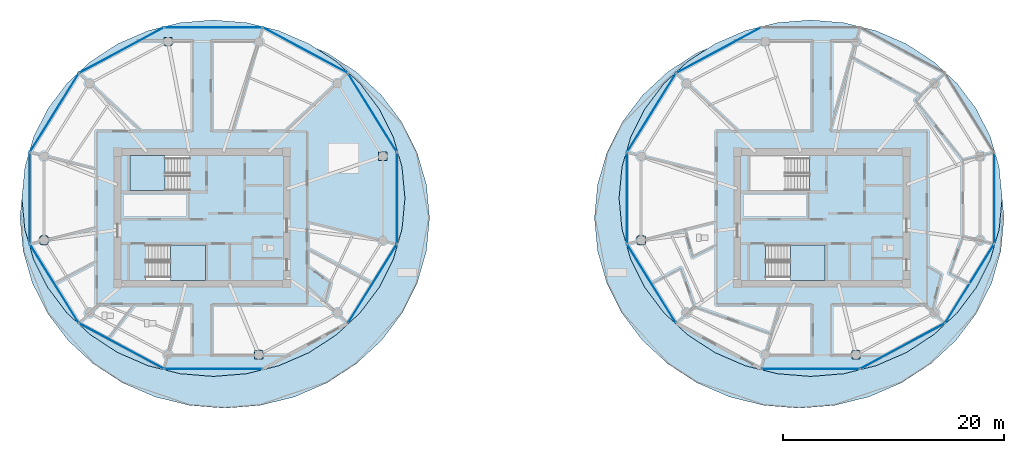
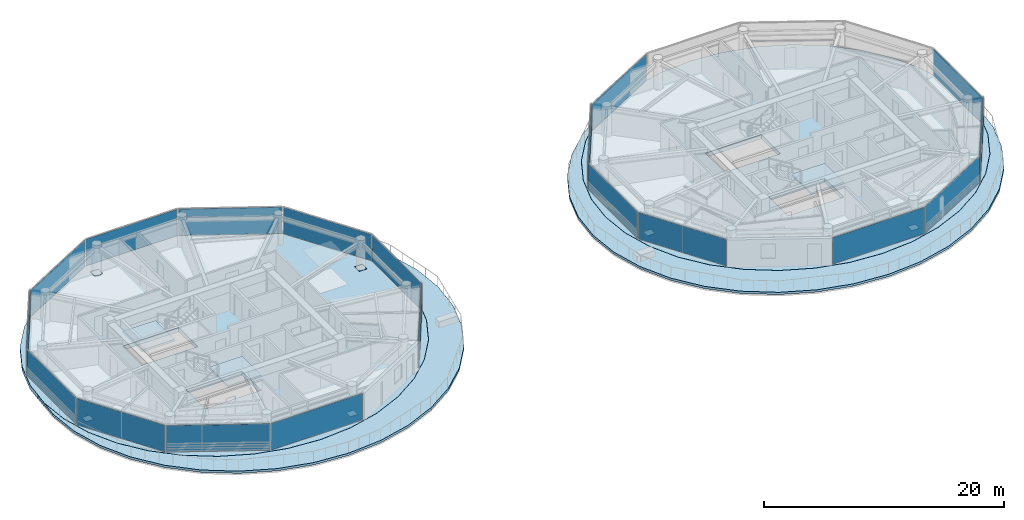
# One storey, part 11 of 28: 25 plates, 7 slabs, 22 elements without a shape of their own.
"""IFC4 building model written with IfcOpenShell, lengths in metres."""

from ifc_helpers import new_model, si_unit, direction, frame, origin, origin_2d, place, context, subcontext, project, spatial, polyline, rectangle, outline, extrude, source, transform, mapped, material, layer, layer_set, type_object, type_shapes, element, aggregate, save


model = new_model("IFC4")

# Units and contexts
model_context = context("Model", 3, precision=1e-05, world=origin(), true_north=direction((0.0, 1.0)))
body_context = subcontext(model_context, "Body", "Model", "MODEL_VIEW")
ifc_project = project(units=[si_unit("LENGTHUNIT", "METRE"), si_unit("AREAUNIT", "SQUARE_METRE"), si_unit("VOLUMEUNIT", "CUBIC_METRE"), si_unit("PLANEANGLEUNIT", "RADIAN"), si_unit("MASSUNIT", "GRAM", prefix="KILO")], contexts=[model_context])

# Site, building, storey
site_placement = place(None, origin())
site = spatial("IfcSite", under=ifc_project, at=site_placement, CompositionType="ELEMENT")
building_placement = place(site_placement, origin())
building = spatial("IfcBuilding", under=site, at=building_placement, Name="Norrkilde Senior Care Towers", CompositionType="ELEMENT")
storey_placement = place(building_placement, frame((0.0, 0.0, 134.300048828125)))
storey = spatial("IfcBuildingStorey", under=building, at=storey_placement, Name="L41", CompositionType="ELEMENT", Elevation=134.300048828125)

# Slabs
ifc_material_1 = material(Name="Concrete C45/55", Category="concrete")
ifc_layer_1 = layer(ifc_material_1, 0.22998046875)
ifc_layer_set_1 = layer_set([ifc_layer_1], Name="Concrete C45/55")
slab_type_1 = type_object("IfcSlabType", Name="Cascading Garden Terrace Slab 230", PredefinedType="FLOOR", material=ifc_layer_set_1)
slab_1_placement = place(storey_placement, frame((0.0, 0.0, -0.22998046875)))
element("IfcSlab", 1, at=slab_1_placement, inside=storey, type_object=slab_type_1, Name="L41 Drum W Crescent Sky-Garden Terrace", PredefinedType="FLOOR", context=body_context, shape_type="SweptSolid", body=[
    extrude(outline(polyline([(-16.699951171875, 14.895751953125), (-14.058349609375, 13.176025390625), (-11.778076171875, 11.055908203125), (-9.928466796875, 8.60009765625), (-8.565673828125, 5.8828125), (-7.73095703125, 2.98681640625), (-7.449951171875, 0.0), (-7.73095703125, -2.98681640625), (-8.565673828125, -5.8828125), (-9.928466796875, -8.60009765625), (-11.778076171875, -11.055908203125), (-14.058349609375, -13.176025390625), (-16.699951171875, -14.895751953125), (-19.62255859375, -16.16259765625), (-22.737548828125, -16.938720703125), (-25.949951171875, -17.199951171875), (-29.16259765625, -16.938720703125), (-32.27734375, -16.16259765625), (-35.199951171875, -14.895751953125), (-37.841552734375, -13.176025390625), (-40.121826171875, -11.055908203125), (-41.971435546875, -8.60009765625), (-43.334228515625, -5.8828125), (-44.1689453125, -2.98681640625), (-44.449951171875, 0.0), (-44.1689453125, 2.98681640625), (-44.164794921875, 3.001220703125), (-44.280029296875, 1.77587890625), (-44.280029296875, 1.775390625), (-44.280029296875, 1.77490234375), (-44.01708984375, -1.020751953125), (-44.01708984375, -1.021240234375), (-44.01708984375, -1.021728515625), (-43.236572265625, -3.732666015625), (-43.236328125, -3.73291015625), (-43.236083984375, -3.7333984375), (-41.961669921875, -6.27685546875), (-41.96142578125, -6.27734375), (-41.961181640625, -6.277587890625), (-40.2314453125, -8.576416015625), (-40.231201171875, -8.576904296875), (-40.23095703125, -8.5771484375), (-38.0986328125, -10.5615234375), (-38.098388671875, -10.56201171875), (-38.097900390625, -10.562255859375), (-35.627685546875, -12.171875), (-35.62744140625, -12.172119140625), (-35.626953125, -12.17236328125), (-32.89404296875, -13.3583984375), (-32.8935546875, -13.3583984375), (-32.89306640625, -13.358642578125), (-29.980224609375, -14.0849609375), (-29.97998046875, -14.0849609375), (-29.9794921875, -14.0849609375), (-26.975341796875, -14.32958984375), (-26.97509765625, -14.32958984375), (-26.974609375, -14.32958984375), (-23.970458984375, -14.0849609375), (-23.969970703125, -14.0849609375), (-23.9697265625, -14.0849609375), (-21.056884765625, -13.358642578125), (-21.056396484375, -13.3583984375), (-21.05615234375, -13.3583984375), (-18.322998046875, -12.17236328125), (-18.32275390625, -12.172119140625), (-18.322265625, -12.171875), (-15.85205078125, -10.562255859375), (-15.851806640625, -10.56201171875), (-15.851318359375, -10.5615234375), (-13.718994140625, -8.5771484375), (-13.71875, -8.576904296875), (-13.718505859375, -8.576416015625), (-11.98876953125, -6.277587890625), (-11.988525390625, -6.27734375), (-11.98828125, -6.27685546875), (-10.7138671875, -3.7333984375), (-10.713623046875, -3.73291015625), (-10.713623046875, -3.732666015625), (-9.93310546875, -1.021728515625), (-9.932861328125, -1.021240234375), (-9.932861328125, -1.020751953125), (-9.669921875, 1.77490234375), (-9.669921875, 1.775390625), (-9.669921875, 1.77587890625), (-9.932861328125, 4.571533203125), (-9.932861328125, 4.572021484375), (-9.93310546875, 4.572509765625), (-10.713623046875, 7.283203125), (-10.713623046875, 7.28369140625), (-10.7138671875, 7.2841796875), (-11.98828125, 9.82763671875), (-11.988525390625, 9.827880859375), (-11.98876953125, 9.828369140625), (-13.718505859375, 12.127197265625), (-13.71875, 12.127685546875), (-13.718994140625, 12.1279296875), (-15.851318359375, 14.1123046875), (-15.851806640625, 14.112548828125), (-15.85205078125, 14.11279296875), (-17.755615234375, 15.353271484375), (-16.699951171875, 14.895751953125)])), origin(), (0.0, 0.0, 1.0), 0.22998046875),
])
slab_2_placement = place(storey_placement, frame((0.0, 0.0, -0.22998046875)))
element("IfcSlab", 2, at=slab_2_placement, inside=storey, type_object=slab_type_1, Name="L41 Drum E Crescent Sky-Garden Terrace", PredefinedType="FLOOR", context=body_context, shape_type="SweptSolid", body=[
    extrude(outline(polyline([(44.1689453125, 2.98681640625), (44.449951171875, 0.0), (44.1689453125, -2.98681640625), (43.334228515625, -5.8828125), (41.971435546875, -8.60009765625), (40.121826171875, -11.055908203125), (37.841552734375, -13.176025390625), (35.199951171875, -14.895751953125), (32.27734375, -16.16259765625), (29.16259765625, -16.938720703125), (25.949951171875, -17.199951171875), (22.737548828125, -16.938720703125), (19.62255859375, -16.16259765625), (16.699951171875, -14.895751953125), (14.058349609375, -13.176025390625), (11.778076171875, -11.055908203125), (9.928466796875, -8.60009765625), (8.565673828125, -5.8828125), (7.73095703125, -2.98681640625), (7.449951171875, 0.0), (7.73095703125, 2.98681640625), (8.565673828125, 5.8828125), (9.928466796875, 8.60009765625), (11.778076171875, 11.055908203125), (14.058349609375, 13.176025390625), (16.699951171875, 14.895751953125), (17.755615234375, 15.353271484375), (15.85205078125, 14.11279296875), (15.851806640625, 14.112548828125), (15.851318359375, 14.1123046875), (13.718994140625, 12.1279296875), (13.71875, 12.127685546875), (13.718505859375, 12.127197265625), (11.98876953125, 9.828369140625), (11.988525390625, 9.827880859375), (11.98828125, 9.82763671875), (10.7138671875, 7.2841796875), (10.713623046875, 7.28369140625), (10.713623046875, 7.283203125), (9.93310546875, 4.572509765625), (9.932861328125, 4.572021484375), (9.932861328125, 4.571533203125), (9.669921875, 1.77587890625), (9.669921875, 1.775390625), (9.669921875, 1.77490234375), (9.932861328125, -1.020751953125), (9.932861328125, -1.021240234375), (9.93310546875, -1.021728515625), (10.713623046875, -3.732666015625), (10.713623046875, -3.73291015625), (10.7138671875, -3.7333984375), (11.98828125, -6.27685546875), (11.988525390625, -6.27734375), (11.98876953125, -6.277587890625), (13.718505859375, -8.576416015625), (13.71875, -8.576904296875), (13.718994140625, -8.5771484375), (15.851318359375, -10.5615234375), (15.851806640625, -10.56201171875), (15.85205078125, -10.562255859375), (18.322265625, -12.171875), (18.32275390625, -12.172119140625), (18.322998046875, -12.17236328125), (21.05615234375, -13.3583984375), (21.056396484375, -13.3583984375), (21.056884765625, -13.358642578125), (23.9697265625, -14.0849609375), (23.969970703125, -14.0849609375), (23.970458984375, -14.0849609375), (26.974609375, -14.32958984375), (26.97509765625, -14.32958984375), (26.975341796875, -14.32958984375), (29.9794921875, -14.0849609375), (29.97998046875, -14.0849609375), (29.980224609375, -14.0849609375), (32.89306640625, -13.358642578125), (32.8935546875, -13.3583984375), (32.89404296875, -13.3583984375), (35.626953125, -12.17236328125), (35.62744140625, -12.172119140625), (35.627685546875, -12.171875), (38.097900390625, -10.562255859375), (38.098388671875, -10.56201171875), (38.0986328125, -10.5615234375), (40.23095703125, -8.5771484375), (40.231201171875, -8.576904296875), (40.2314453125, -8.576416015625), (41.961181640625, -6.277587890625), (41.96142578125, -6.27734375), (41.961669921875, -6.27685546875), (43.236083984375, -3.7333984375), (43.236328125, -3.73291015625), (43.236572265625, -3.732666015625), (44.01708984375, -1.021728515625), (44.01708984375, -1.021240234375), (44.01708984375, -1.020751953125), (44.280029296875, 1.77490234375), (44.280029296875, 1.775390625), (44.280029296875, 1.77587890625), (44.164794921875, 3.001220703125), (44.1689453125, 2.98681640625)])), origin(), (0.0, 0.0, 1.0), 0.22998046875),
])

# Stair, slab
stair_type = type_object("IfcStairType", Name="Core Protected Dogleg Stair Typical 3050", PredefinedType="HALF_TURN_STAIR", material=ifc_material_1)
stair_1_placement = place(storey_placement, origin())
stair_1 = element("IfcStair", 3, at=stair_1_placement, inside=storey, type_object=stair_type, Name="L41 Protected Core Stair W1", PredefinedType="HALF_TURN_STAIR")
ifc_layer_2 = layer(ifc_material_1, 0.199951171875)
ifc_layer_set_2 = layer_set([ifc_layer_2], Name="Concrete C45/55")
slab_type_2 = type_object("IfcSlabType", Name="Stair Landing Slab 200", PredefinedType="LANDING", material=ifc_layer_set_2)
slab_3_placement = place(storey_placement, frame((0.0, 0.0, 1.324951171875)))
slab_3 = element("IfcSlab", 4, at=slab_3_placement, type_object=slab_type_2, Name="ST-W1 landing 1", PredefinedType="LANDING", context=body_context, shape_type="SweptSolid", body=[
    extrude(outline(polyline([(-31.340087890625, 5.639892578125), (-34.5, 5.639892578125), (-34.5, 2.449951171875), (-31.340087890625, 2.449951171875), (-31.340087890625, 5.639892578125)])), origin(), (0.0, 0.0, 1.0), 0.199951171875),
])
aggregate(stair_1, [slab_3])

stair_2_placement = place(storey_placement, origin())
stair_2 = element("IfcStair", 5, at=stair_2_placement, inside=storey, type_object=stair_type, Name="L41 Protected Core Stair W2", PredefinedType="HALF_TURN_STAIR")
slab_4_placement = place(storey_placement, frame((0.0, 0.0, 1.324951171875)))
slab_4 = element("IfcSlab", 6, at=slab_4_placement, type_object=slab_type_2, Name="ST-W2 landing 1", PredefinedType="LANDING", context=body_context, shape_type="SweptSolid", body=[
    extrude(outline(polyline([(-30.860107421875, -5.639892578125), (-27.699951171875, -5.639892578125), (-27.699951171875, -2.449951171875), (-30.860107421875, -2.449951171875), (-30.860107421875, -5.639892578125)])), origin(), (0.0, 0.0, 1.0), 0.199951171875),
])
aggregate(stair_2, [slab_4])

stair_3_placement = place(storey_placement, origin())
stair_3 = element("IfcStair", 7, at=stair_3_placement, inside=storey, type_object=stair_type, Name="L41 Protected Core Stair E2", PredefinedType="HALF_TURN_STAIR")
slab_5_placement = place(storey_placement, frame((0.0, 0.0, 1.324951171875)))
slab_5 = element("IfcSlab", 8, at=slab_5_placement, type_object=slab_type_2, Name="ST-E2 landing 1", PredefinedType="LANDING", context=body_context, shape_type="SweptSolid", body=[
    extrude(outline(polyline([(25.139892578125, -5.639892578125), (28.300048828125, -5.639892578125), (28.300048828125, -2.449951171875), (25.139892578125, -2.449951171875), (25.139892578125, -5.639892578125)])), origin(), (0.0, 0.0, 1.0), 0.199951171875),
])
aggregate(stair_3, [slab_5])

# Slabs
ifc_material_2 = material(Name="Concrete C60/75", Category="concrete")
ifc_layer_3 = layer(ifc_material_2, 0.419921875)
ifc_layer_set_3 = layer_set([ifc_layer_3], Name="Concrete C60/75")
slab_type_3 = type_object("IfcSlabType", Name="Transfer Deck Slab 420", PredefinedType="FLOOR", material=ifc_layer_set_3)
slab_6_placement = place(storey_placement, frame((0.0, 0.0, -0.420166015625)))
element("IfcSlab", 9, at=slab_6_placement, inside=storey, type_object=slab_type_3, Name="L41 Drum W Structural Floor Slab", PredefinedType="FLOOR", context=body_context, shape_type="SweptSolid", body=[
    extrude(outline(polyline([(-10.71826171875, -3.731201171875), (-11.99267578125, -6.274658203125), (-13.722412109375, -8.573486328125), (-15.854736328125, -10.557861328125), (-18.324951171875, -12.167724609375), (-21.05810546875, -13.353759765625), (-23.970947265625, -14.080078125), (-26.97509765625, -14.32470703125), (-29.97900390625, -14.080078125), (-32.891845703125, -13.353759765625), (-35.625, -12.167724609375), (-38.09521484375, -10.557861328125), (-40.2275390625, -8.573486328125), (-41.957275390625, -6.274658203125), (-43.231689453125, -3.731201171875), (-44.01220703125, -1.020263671875), (-44.27490234375, 1.775390625), (-44.01220703125, 4.571044921875), (-43.231689453125, 7.281982421875), (-41.957275390625, 9.825439453125), (-40.2275390625, 12.124267578125), (-38.09521484375, 14.108642578125), (-35.625, 15.71826171875), (-32.891845703125, 16.904296875), (-29.97900390625, 17.630859375), (-26.97509765625, 17.875244140625), (-23.970947265625, 17.630859375), (-21.05810546875, 16.904296875), (-18.324951171875, 15.71826171875), (-15.854736328125, 14.108642578125), (-13.722412109375, 12.124267578125), (-11.99267578125, 9.825439453125), (-10.71826171875, 7.281982421875), (-9.937744140625, 4.571044921875), (-9.675048828125, 1.775390625), (-9.937744140625, -1.020263671875), (-10.71826171875, -3.731201171875)]), holes=[polyline([(-34.48193359375, 2.468017578125), (-29.117919921875, 2.468017578125), (-29.117919921875, 5.639892578125), (-34.48193359375, 5.639892578125), (-34.48193359375, 2.468017578125)]), polyline([(-27.718017578125, -5.639892578125), (-27.718017578125, -2.468017578125), (-33.08203125, -2.468017578125), (-33.08203125, -5.639892578125), (-27.718017578125, -5.639892578125)])]), origin(), (0.0, 0.0, 1.0), 0.420166015625),
])
slab_7_placement = place(storey_placement, frame((0.0, 0.0, -0.420166015625)))
element("IfcSlab", 10, at=slab_7_placement, inside=storey, type_object=slab_type_3, Name="L41 Drum E Structural Floor Slab", PredefinedType="FLOOR", context=body_context, shape_type="SweptSolid", body=[
    extrude(outline(polyline([(43.231689453125, -3.731201171875), (41.957275390625, -6.274658203125), (40.2275390625, -8.573486328125), (38.09521484375, -10.557861328125), (35.625, -12.167724609375), (32.891845703125, -13.353759765625), (29.97900390625, -14.080078125), (26.97509765625, -14.32470703125), (23.970947265625, -14.080078125), (21.05810546875, -13.353759765625), (18.324951171875, -12.167724609375), (15.854736328125, -10.557861328125), (13.722412109375, -8.573486328125), (11.99267578125, -6.274658203125), (10.71826171875, -3.731201171875), (9.937744140625, -1.020263671875), (9.675048828125, 1.775390625), (9.937744140625, 4.571044921875), (10.71826171875, 7.281982421875), (11.99267578125, 9.825439453125), (13.722412109375, 12.124267578125), (15.854736328125, 14.108642578125), (18.324951171875, 15.71826171875), (21.05810546875, 16.904296875), (23.970947265625, 17.630859375), (26.97509765625, 17.875244140625), (29.97900390625, 17.630859375), (32.891845703125, 16.904296875), (35.625, 15.71826171875), (38.09521484375, 14.108642578125), (40.2275390625, 12.124267578125), (41.957275390625, 9.825439453125), (43.231689453125, 7.281982421875), (44.01220703125, 4.571044921875), (44.27490234375, 1.775390625), (44.01220703125, -1.020263671875), (43.231689453125, -3.731201171875)]), holes=[polyline([(21.51806640625, 2.468017578125), (26.882080078125, 2.468017578125), (26.882080078125, 5.639892578125), (21.51806640625, 5.639892578125), (21.51806640625, 2.468017578125)]), polyline([(28.281982421875, -5.639892578125), (28.281982421875, -2.468017578125), (22.91796875, -2.468017578125), (22.91796875, -5.639892578125), (28.281982421875, -5.639892578125)])]), origin(), (0.0, 0.0, 1.0), 0.420166015625),
])

# Plates
ifc_material_3 = material(Name="Steel S355", Category="steel")
ifc_layer_4 = layer(ifc_material_3, 0.030029296875)
ifc_layer_set_4 = layer_set([ifc_layer_4], Name="Steel S355")
plate_type_1 = type_object("IfcPlateType", Name="Column Splice Flange Plate 30", PredefinedType="USERDEFINED", material=ifc_layer_set_4)
shared_shape_1 = source(origin(), body_context, "Body", "SweptSolid", [
    extrude(rectangle(XDim=0.75, YDim=0.75, at=origin_2d()), origin(), (0.0, 0.0, 1.0), 0.030029296875),
])
type_shapes(plate_type_1, [shared_shape_1])
for number, where, z_axis, x_axis, name in (
    (11, (-11.6650390625, 5.567138671875, 0.0), (0.0, 0.0, 1.0), (1.0, 0.0, 0.0), "L41 Column W-01 Splice Flange Plate"),
    (12, (-31.077392578125, 15.92626953125, 0.0), (0.0, 0.0, 1.0), (1.0, 0.0, 0.0), "L41 Column W-04 Splice Flange Plate"),
    (13, (-42.284912109375, -2.016357421875, 0.0), (0.0, 0.0, 1.0), (1.0, 0.0, 0.0), "L41 Column W-07 Splice Flange Plate"),
    (14, (-22.872802734375, -12.37548828125, 0.0), (0.0, 0.0, 1.0), (1.0, 0.0, 0.0), "L41 Column W-10 Splice Flange Plate"),
    (15, (11.6650390625, -2.016357421875, 0.0), (0.0, 0.0, 1.0), (1.0, 0.0, 0.0), "L41 Column E-07 Splice Flange Plate"),
    (16, (31.077392578125, -12.37548828125, 0.0), (0.0, 0.0, 1.0), (1.0, 0.0, 0.0), "L41 Column E-10 Splice Flange Plate"),
):
    element("IfcPlate", number, at=place(storey_placement, frame(where, z_axis=z_axis, x_axis=x_axis)), inside=storey, type_object=plate_type_1, Name=name, ObjectType="FLANGE_PLATE", PredefinedType="USERDEFINED", context=body_context, shape_type="MappedRepresentation", body=[
        mapped(shared_shape_1, transform((0.0, 0.0, 0.0), x_axis=(1.0, 0.0, 0.0), y_axis=(0.0, 1.0, 0.0), z_axis=(0.0, 0.0, 1.0), scale=1.0)),
    ])

# Curtain wall, plate
ifc_material_4 = material(Name="Triple Low-E Insulated Glazing", Category="glass")
ifc_layer_5 = layer(ifc_material_4, 0.18994140625)
ifc_layer_set_5 = layer_set([ifc_layer_5], Name="Triple Low-E Insulated Glazing")
curtain_wall_type = type_object("IfcCurtainWallType", Name="CW4 Zone 3 Senior Residence Curtain Wall", PredefinedType="NOTDEFINED", material=ifc_layer_set_5)
curtain_wall_1_placement = place(storey_placement, origin())
curtain_wall_1 = element("IfcCurtainWall", 17, at=curtain_wall_1_placement, inside=storey, type_object=curtain_wall_type, Name="L41 Drum W Curtain Wall 00", PredefinedType="NOTDEFINED")
ifc_layer_6 = layer(ifc_material_4, 0.035888671875)
ifc_layer_set_6 = layer_set([ifc_layer_6], Name="Triple Low-E Insulated Glazing")
plate_type_2 = type_object("IfcPlateType", Name="Triple Low-E Vision Curtain Panel 36", PredefinedType="CURTAIN_PANEL", material=ifc_layer_set_6)
shared_shape_2 = source(origin(), body_context, "Body", "SweptSolid", [
    extrude(rectangle(XDim=8.301513671875, YDim=0.035888671875, at=origin_2d()), origin(), (0.0, 0.0, 1.0), 2.68994140625),
])
plate_1_placement = place(storey_placement, frame((-12.603759765625, 9.4931640625, 0.06005859375), z_axis=(0.0, 0.0, 1.0), x_axis=(0.52737270789, -0.84963405474, 0.0)))
plate_1 = element("IfcPlate", 18, at=plate_1_placement, type_object=plate_type_2, Name="CW-4 panel 1.1", PredefinedType="CURTAIN_PANEL", context=body_context, shape_type="MappedRepresentation", body=[
    mapped(shared_shape_2, transform((0.0, 0.0, 0.0), x_axis=(1.0, 0.0, 0.0), y_axis=(0.0, 1.0, 0.0), z_axis=(0.0, 0.0, 1.0), scale=1.0)),
])
aggregate(curtain_wall_1, [plate_1])

curtain_wall_2_placement = place(storey_placement, origin())
curtain_wall_2 = element("IfcCurtainWall", 19, at=curtain_wall_2_placement, inside=storey, type_object=curtain_wall_type, Name="L41 Drum W Curtain Wall 04", PredefinedType="NOTDEFINED")
plate_2_placement = place(storey_placement, frame((-41.346435546875, 9.4931640625, 0.06005859375), z_axis=(0.0, 0.0, 1.0), x_axis=(0.52737270789, 0.84963405474, 0.0)))
plate_2 = element("IfcPlate", 20, at=plate_2_placement, type_object=plate_type_2, Name="CW-4 panel 1.1", PredefinedType="CURTAIN_PANEL", context=body_context, shape_type="MappedRepresentation", body=[
    mapped(shared_shape_2, transform((0.0, 0.0, 0.0), x_axis=(1.0, 0.0, 0.0), y_axis=(0.0, 1.0, 0.0), z_axis=(0.0, 0.0, 1.0), scale=1.0)),
])
aggregate(curtain_wall_2, [plate_2])

curtain_wall_3_placement = place(storey_placement, origin())
curtain_wall_3 = element("IfcCurtainWall", 21, at=curtain_wall_3_placement, inside=storey, type_object=curtain_wall_type, Name="L41 Drum W Curtain Wall 06", PredefinedType="NOTDEFINED")
plate_3_placement = place(storey_placement, frame((-41.346435546875, -5.9423828125, 0.06005859375), z_axis=(0.0, 0.0, 1.0), x_axis=(-0.52737270789, 0.84963405474, 0.0)))
plate_3 = element("IfcPlate", 22, at=plate_3_placement, type_object=plate_type_2, Name="CW-4 panel 1.1", PredefinedType="CURTAIN_PANEL", context=body_context, shape_type="MappedRepresentation", body=[
    mapped(shared_shape_2, transform((0.0, 0.0, 0.0), x_axis=(1.0, 0.0, 0.0), y_axis=(0.0, 1.0, 0.0), z_axis=(0.0, 0.0, 1.0), scale=1.0)),
])
aggregate(curtain_wall_3, [plate_3])

curtain_wall_4_placement = place(storey_placement, origin())
curtain_wall_4 = element("IfcCurtainWall", 23, at=curtain_wall_4_placement, inside=storey, type_object=curtain_wall_type, Name="L41 Drum W Curtain Wall 10", PredefinedType="NOTDEFINED")
plate_4_placement = place(storey_placement, frame((-12.603759765625, -5.9423828125, 0.06005859375), z_axis=(0.0, 0.0, 1.0), x_axis=(-0.52737270789, -0.84963405474, 0.0)))
plate_4 = element("IfcPlate", 24, at=plate_4_placement, type_object=plate_type_2, Name="CW-4 panel 1.1", PredefinedType="CURTAIN_PANEL", context=body_context, shape_type="MappedRepresentation", body=[
    mapped(shared_shape_2, transform((0.0, 0.0, 0.0), x_axis=(1.0, 0.0, 0.0), y_axis=(0.0, 1.0, 0.0), z_axis=(0.0, 0.0, 1.0), scale=1.0)),
])
aggregate(curtain_wall_4, [plate_4])

curtain_wall_5_placement = place(storey_placement, origin())
curtain_wall_5 = element("IfcCurtainWall", 25, at=curtain_wall_5_placement, inside=storey, type_object=curtain_wall_type, Name="L41 Drum E Curtain Wall 04", PredefinedType="NOTDEFINED")
plate_5_placement = place(storey_placement, frame((12.603759765625, 9.4931640625, 0.06005859375), z_axis=(0.0, 0.0, 1.0), x_axis=(0.52737270789, 0.84963405474, 0.0)))
plate_5 = element("IfcPlate", 26, at=plate_5_placement, type_object=plate_type_2, Name="CW-4 panel 1.1", PredefinedType="CURTAIN_PANEL", context=body_context, shape_type="MappedRepresentation", body=[
    mapped(shared_shape_2, transform((0.0, 0.0, 0.0), x_axis=(1.0, 0.0, 0.0), y_axis=(0.0, 1.0, 0.0), z_axis=(0.0, 0.0, 1.0), scale=1.0)),
])
aggregate(curtain_wall_5, [plate_5])

curtain_wall_6_placement = place(storey_placement, origin())
curtain_wall_6 = element("IfcCurtainWall", 27, at=curtain_wall_6_placement, inside=storey, type_object=curtain_wall_type, Name="L41 Drum E Curtain Wall 06", PredefinedType="NOTDEFINED")
plate_6_placement = place(storey_placement, frame((12.603759765625, -5.9423828125, 0.06005859375), z_axis=(0.0, 0.0, 1.0), x_axis=(-0.52737270789, 0.84963405474, 0.0)))
plate_6 = element("IfcPlate", 28, at=plate_6_placement, type_object=plate_type_2, Name="CW-4 panel 1.1", PredefinedType="CURTAIN_PANEL", context=body_context, shape_type="MappedRepresentation", body=[
    mapped(shared_shape_2, transform((0.0, 0.0, 0.0), x_axis=(1.0, 0.0, 0.0), y_axis=(0.0, 1.0, 0.0), z_axis=(0.0, 0.0, 1.0), scale=1.0)),
])
aggregate(curtain_wall_6, [plate_6])

curtain_wall_7_placement = place(storey_placement, origin())
curtain_wall_7 = element("IfcCurtainWall", 29, at=curtain_wall_7_placement, inside=storey, type_object=curtain_wall_type, Name="L41 Drum E Curtain Wall 10", PredefinedType="NOTDEFINED")
plate_7_placement = place(storey_placement, frame((41.346435546875, -5.9423828125, 0.06005859375), z_axis=(0.0, 0.0, 1.0), x_axis=(-0.52737270789, -0.84963405474, 0.0)))
plate_7 = element("IfcPlate", 30, at=plate_7_placement, type_object=plate_type_2, Name="CW-4 panel 1.1", PredefinedType="CURTAIN_PANEL", context=body_context, shape_type="MappedRepresentation", body=[
    mapped(shared_shape_2, transform((0.0, 0.0, 0.0), x_axis=(1.0, 0.0, 0.0), y_axis=(0.0, 1.0, 0.0), z_axis=(0.0, 0.0, 1.0), scale=1.0)),
])
aggregate(curtain_wall_7, [plate_7])

curtain_wall_8_placement = place(storey_placement, origin())
curtain_wall_8 = element("IfcCurtainWall", 31, at=curtain_wall_8_placement, inside=storey, type_object=curtain_wall_type, Name="L41 Drum W Curtain Wall 01", PredefinedType="NOTDEFINED")
shared_shape_3 = source(origin(), body_context, "Body", "SweptSolid", [
    extrude(rectangle(XDim=8.61181640625, YDim=0.035888671875, at=origin_2d()), origin(), (0.0, 0.0, 1.0), 2.68994140625),
])
plate_8_placement = place(storey_placement, frame((-18.677734375, 15.142822265625, 0.06005859375), z_axis=(0.0, 0.0, 1.0), x_axis=(0.880999524059, -0.47311715104, 0.0)))
plate_8 = element("IfcPlate", 32, at=plate_8_placement, type_object=plate_type_2, Name="CW-4 panel 1.1", PredefinedType="CURTAIN_PANEL", context=body_context, shape_type="MappedRepresentation", body=[
    mapped(shared_shape_3, transform((0.0, 0.0, 0.0), x_axis=(1.0, 0.0, 0.0), y_axis=(0.0, 1.0, 0.0), z_axis=(0.0, 0.0, 1.0), scale=1.0)),
])
aggregate(curtain_wall_8, [plate_8])

curtain_wall_9_placement = place(storey_placement, origin())
curtain_wall_9 = element("IfcCurtainWall", 33, at=curtain_wall_9_placement, inside=storey, type_object=curtain_wall_type, Name="L41 Drum W Curtain Wall 03", PredefinedType="NOTDEFINED")
plate_9_placement = place(storey_placement, frame((-35.272216796875, 15.142822265625, 0.06005859375), z_axis=(0.0, 0.0, 1.0), x_axis=(0.880999524059, 0.47311715104, 0.0)))
plate_9 = element("IfcPlate", 34, at=plate_9_placement, type_object=plate_type_2, Name="CW-4 panel 1.1", PredefinedType="CURTAIN_PANEL", context=body_context, shape_type="MappedRepresentation", body=[
    mapped(shared_shape_3, transform((0.0, 0.0, 0.0), x_axis=(1.0, 0.0, 0.0), y_axis=(0.0, 1.0, 0.0), z_axis=(0.0, 0.0, 1.0), scale=1.0)),
])
aggregate(curtain_wall_9, [plate_9])

curtain_wall_10_placement = place(storey_placement, origin())
curtain_wall_10 = element("IfcCurtainWall", 35, at=curtain_wall_10_placement, inside=storey, type_object=curtain_wall_type, Name="L41 Drum W Curtain Wall 07", PredefinedType="NOTDEFINED")
plate_10_placement = place(storey_placement, frame((-35.272216796875, -11.59228515625, 0.06005859375), z_axis=(0.0, 0.0, 1.0), x_axis=(-0.880999524059, 0.47311715104, 0.0)))
plate_10 = element("IfcPlate", 36, at=plate_10_placement, type_object=plate_type_2, Name="CW-4 panel 1.1", PredefinedType="CURTAIN_PANEL", context=body_context, shape_type="MappedRepresentation", body=[
    mapped(shared_shape_3, transform((0.0, 0.0, 0.0), x_axis=(1.0, 0.0, 0.0), y_axis=(0.0, 1.0, 0.0), z_axis=(0.0, 0.0, 1.0), scale=1.0)),
])
aggregate(curtain_wall_10, [plate_10])

curtain_wall_11_placement = place(storey_placement, origin())
curtain_wall_11 = element("IfcCurtainWall", 37, at=curtain_wall_11_placement, inside=storey, type_object=curtain_wall_type, Name="L41 Drum E Curtain Wall 03", PredefinedType="NOTDEFINED")
plate_11_placement = place(storey_placement, frame((18.677734375, 15.142822265625, 0.06005859375), z_axis=(0.0, 0.0, 1.0), x_axis=(0.880999524059, 0.47311715104, 0.0)))
plate_11 = element("IfcPlate", 38, at=plate_11_placement, type_object=plate_type_2, Name="CW-4 panel 1.1", PredefinedType="CURTAIN_PANEL", context=body_context, shape_type="MappedRepresentation", body=[
    mapped(shared_shape_3, transform((0.0, 0.0, 0.0), x_axis=(1.0, 0.0, 0.0), y_axis=(0.0, 1.0, 0.0), z_axis=(0.0, 0.0, 1.0), scale=1.0)),
])
aggregate(curtain_wall_11, [plate_11])

curtain_wall_12_placement = place(storey_placement, origin())
curtain_wall_12 = element("IfcCurtainWall", 39, at=curtain_wall_12_placement, inside=storey, type_object=curtain_wall_type, Name="L41 Drum E Curtain Wall 09", PredefinedType="NOTDEFINED")
plate_12_placement = place(storey_placement, frame((35.272216796875, -11.59228515625, 0.06005859375), z_axis=(0.0, 0.0, 1.0), x_axis=(-0.880999524059, -0.47311715104, 0.0)))
plate_12 = element("IfcPlate", 40, at=plate_12_placement, type_object=plate_type_2, Name="CW-4 panel 1.1", PredefinedType="CURTAIN_PANEL", context=body_context, shape_type="MappedRepresentation", body=[
    mapped(shared_shape_3, transform((0.0, 0.0, 0.0), x_axis=(1.0, 0.0, 0.0), y_axis=(0.0, 1.0, 0.0), z_axis=(0.0, 0.0, 1.0), scale=1.0)),
])
aggregate(curtain_wall_12, [plate_12])

curtain_wall_13_placement = place(storey_placement, origin())
curtain_wall_13 = element("IfcCurtainWall", 41, at=curtain_wall_13_placement, inside=storey, type_object=curtain_wall_type, Name="L41 Drum W Curtain Wall 02", PredefinedType="NOTDEFINED")
shared_shape_4 = source(origin(), body_context, "Body", "SweptSolid", [
    extrude(rectangle(XDim=8.762939453125, YDim=0.035888671875, at=origin_2d()), origin(), (0.0, 0.0, 1.0), 2.68994140625),
])
plate_13_placement = place(storey_placement, frame((-26.97509765625, 17.2109375, 0.06005859375), z_axis=(0.0, 0.0, 1.0), x_axis=(1.0, 0.0, 0.0)))
plate_13 = element("IfcPlate", 42, at=plate_13_placement, type_object=plate_type_2, Name="CW-4 panel 1.1", PredefinedType="CURTAIN_PANEL", context=body_context, shape_type="MappedRepresentation", body=[
    mapped(shared_shape_4, transform((0.0, 0.0, 0.0), x_axis=(1.0, 0.0, 0.0), y_axis=(0.0, 1.0, 0.0), z_axis=(0.0, 0.0, 1.0), scale=1.0)),
])
aggregate(curtain_wall_13, [plate_13])

curtain_wall_14_placement = place(storey_placement, origin())
curtain_wall_14 = element("IfcCurtainWall", 43, at=curtain_wall_14_placement, inside=storey, type_object=curtain_wall_type, Name="L41 Drum W Curtain Wall 08", PredefinedType="NOTDEFINED")
plate_14_placement = place(storey_placement, frame((-26.97509765625, -13.66015625, 0.06005859375), z_axis=(0.0, 0.0, 1.0), x_axis=(-1.0, 0.0, 0.0)))
plate_14 = element("IfcPlate", 44, at=plate_14_placement, type_object=plate_type_2, Name="CW-4 panel 1.1", PredefinedType="CURTAIN_PANEL", context=body_context, shape_type="MappedRepresentation", body=[
    mapped(shared_shape_4, transform((0.0, 0.0, 0.0), x_axis=(1.0, 0.0, 0.0), y_axis=(0.0, 1.0, 0.0), z_axis=(0.0, 0.0, 1.0), scale=1.0)),
])
aggregate(curtain_wall_14, [plate_14])

curtain_wall_15_placement = place(storey_placement, origin())
curtain_wall_15 = element("IfcCurtainWall", 45, at=curtain_wall_15_placement, inside=storey, type_object=curtain_wall_type, Name="L41 Drum E Curtain Wall 08", PredefinedType="NOTDEFINED")
plate_15_placement = place(storey_placement, frame((26.97509765625, -13.66015625, 0.06005859375), z_axis=(0.0, 0.0, 1.0), x_axis=(-1.0, 0.0, 0.0)))
plate_15 = element("IfcPlate", 46, at=plate_15_placement, type_object=plate_type_2, Name="CW-4 panel 1.1", PredefinedType="CURTAIN_PANEL", context=body_context, shape_type="MappedRepresentation", body=[
    mapped(shared_shape_4, transform((0.0, 0.0, 0.0), x_axis=(1.0, 0.0, 0.0), y_axis=(0.0, 1.0, 0.0), z_axis=(0.0, 0.0, 1.0), scale=1.0)),
])
aggregate(curtain_wall_15, [plate_15])

curtain_wall_16_placement = place(storey_placement, origin())
curtain_wall_16 = element("IfcCurtainWall", 47, at=curtain_wall_16_placement, inside=storey, type_object=curtain_wall_type, Name="L41 Drum W Curtain Wall 05", PredefinedType="NOTDEFINED")
shared_shape_5 = source(origin(), body_context, "Body", "SweptSolid", [
    extrude(rectangle(XDim=8.141845703125, YDim=0.035888671875, at=origin_2d()), origin(), (0.0, 0.0, 1.0), 2.68994140625),
])
type_shapes(plate_type_2, [shared_shape_2, shared_shape_3, shared_shape_4, shared_shape_5])
plate_16_placement = place(storey_placement, frame((-43.569580078125, 1.775390625, 0.06005859375), z_axis=(0.0, 0.0, 1.0), x_axis=(0.0, 1.0, 0.0)))
plate_16 = element("IfcPlate", 48, at=plate_16_placement, type_object=plate_type_2, Name="CW-4 panel 1.1", PredefinedType="CURTAIN_PANEL", context=body_context, shape_type="MappedRepresentation", body=[
    mapped(shared_shape_5, transform((0.0, 0.0, 0.0), x_axis=(1.0, 0.0, 0.0), y_axis=(0.0, 1.0, 0.0), z_axis=(0.0, 0.0, 1.0), scale=1.0)),
])
aggregate(curtain_wall_16, [plate_16])

curtain_wall_17_placement = place(storey_placement, origin())
curtain_wall_17 = element("IfcCurtainWall", 49, at=curtain_wall_17_placement, inside=storey, type_object=curtain_wall_type, Name="L41 Drum W Curtain Wall 11", PredefinedType="NOTDEFINED")
plate_17_placement = place(storey_placement, frame((-10.38037109375, 1.775390625, 0.06005859375), z_axis=(0.0, 0.0, 1.0), x_axis=(0.0, -1.0, 0.0)))
plate_17 = element("IfcPlate", 50, at=plate_17_placement, type_object=plate_type_2, Name="CW-4 panel 1.1", PredefinedType="CURTAIN_PANEL", context=body_context, shape_type="MappedRepresentation", body=[
    mapped(shared_shape_5, transform((0.0, 0.0, 0.0), x_axis=(1.0, 0.0, 0.0), y_axis=(0.0, 1.0, 0.0), z_axis=(0.0, 0.0, 1.0), scale=1.0)),
])
aggregate(curtain_wall_17, [plate_17])

curtain_wall_18_placement = place(storey_placement, origin())
curtain_wall_18 = element("IfcCurtainWall", 51, at=curtain_wall_18_placement, inside=storey, type_object=curtain_wall_type, Name="L41 Drum E Curtain Wall 05", PredefinedType="NOTDEFINED")
plate_18_placement = place(storey_placement, frame((10.38037109375, 1.775390625, 0.06005859375), z_axis=(0.0, 0.0, 1.0), x_axis=(0.0, 1.0, 0.0)))
plate_18 = element("IfcPlate", 52, at=plate_18_placement, type_object=plate_type_2, Name="CW-4 panel 1.1", PredefinedType="CURTAIN_PANEL", context=body_context, shape_type="MappedRepresentation", body=[
    mapped(shared_shape_5, transform((0.0, 0.0, 0.0), x_axis=(1.0, 0.0, 0.0), y_axis=(0.0, 1.0, 0.0), z_axis=(0.0, 0.0, 1.0), scale=1.0)),
])
aggregate(curtain_wall_18, [plate_18])

curtain_wall_19_placement = place(storey_placement, origin())
curtain_wall_19 = element("IfcCurtainWall", 53, at=curtain_wall_19_placement, inside=storey, type_object=curtain_wall_type, Name="L41 Drum E Curtain Wall 11", PredefinedType="NOTDEFINED")
plate_19_placement = place(storey_placement, frame((43.569580078125, 1.775390625, 0.06005859375), z_axis=(0.0, 0.0, 1.0), x_axis=(0.0, -1.0, 0.0)))
plate_19 = element("IfcPlate", 54, at=plate_19_placement, type_object=plate_type_2, Name="CW-4 panel 1.1", PredefinedType="CURTAIN_PANEL", context=body_context, shape_type="MappedRepresentation", body=[
    mapped(shared_shape_5, transform((0.0, 0.0, 0.0), x_axis=(1.0, 0.0, 0.0), y_axis=(0.0, 1.0, 0.0), z_axis=(0.0, 0.0, 1.0), scale=1.0)),
])
aggregate(curtain_wall_19, [plate_19])

save(model, "model.ifc")
